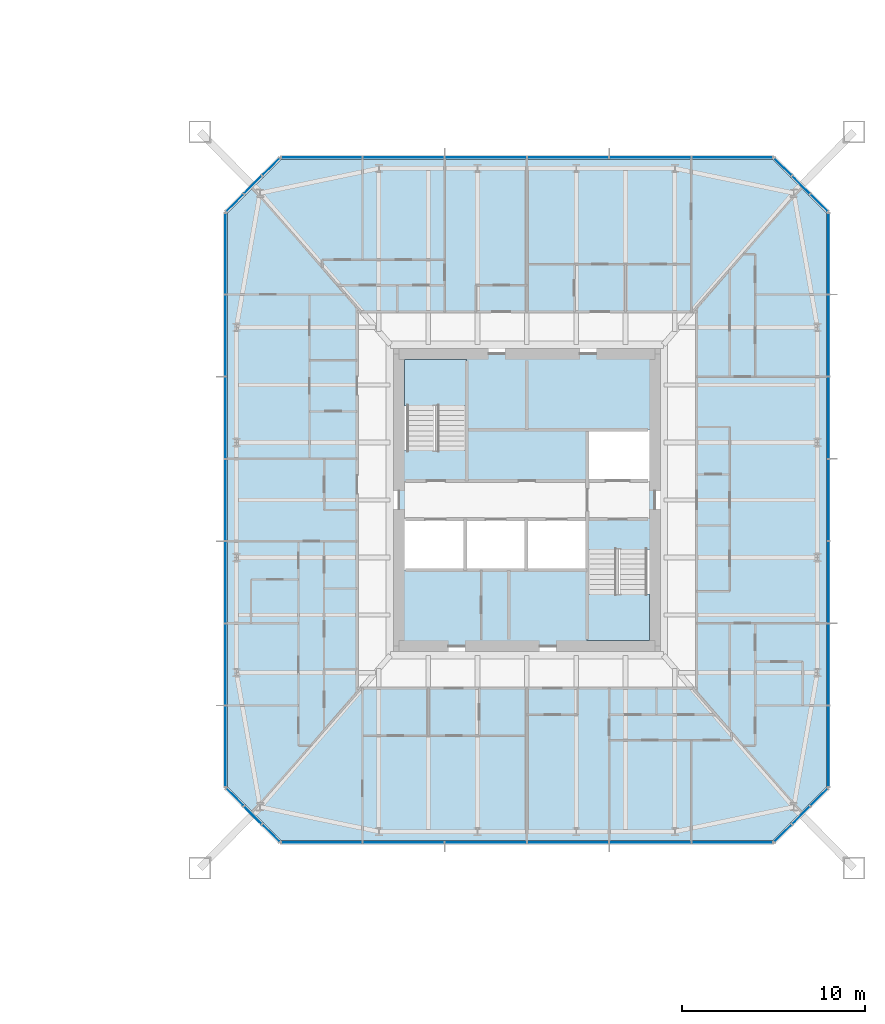
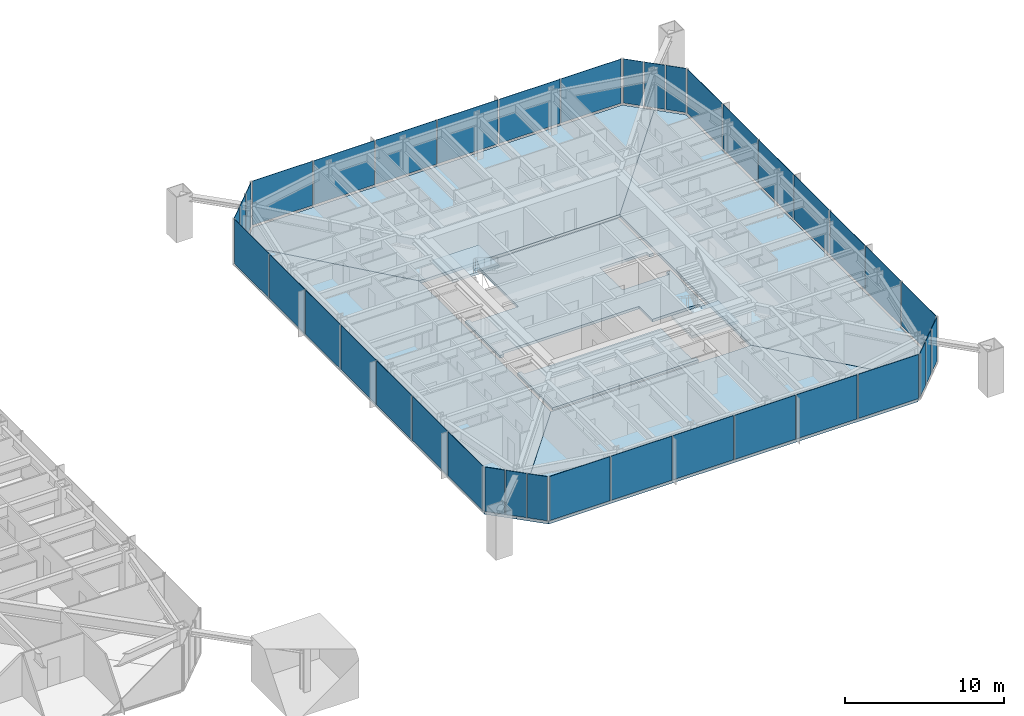
# One storey, part 13 of 26: 38 plates, 8 slabs, 10 elements without a shape of their own.
"""IFC4 building model written with IfcOpenShell, lengths in metres."""

import ifcopenshell
import ifcopenshell.guid

model = None  # the IFC model being written
_history = None  # IfcOwnerHistory: only IFC2X3 demands one
_inside = {}  # id of a spatial element -> (the spatial element, [elements in it])
_under = {}  # id of a project, library or spatial element -> (it, [spatial elements below it])
_declared = {}  # id of a project -> (the project, [libraries it declares])
_typed = {}  # id of a type object -> (the type object, [elements of that type])
_made_of = {}  # id of a material, layer set ... -> (it, [elements and type objects made of it])


def new_model(schema):
    """Start an empty IFC model of exactly this schema.

    Asked for "IFC4X3", IfcOpenShell would pick the latest addendum, in which some entities
    have other attributes; the version numbers below select the first issue.
    IFC2X3 requires an IfcOwnerHistory on every rooted entity: one is made here for all.
    """
    global model, _history
    if schema == "IFC4X3":
        model = ifcopenshell.file(schema_version=(4, 3, 0, 0))
    else:
        model = ifcopenshell.file(schema=schema)
    _inside.clear()
    _under.clear()
    _declared.clear()
    _typed.clear()
    _made_of.clear()
    _history = None
    if model.schema == "IFC2X3":
        org = make("IfcOrganization", Name="unknown")
        user = make(
            "IfcPersonAndOrganization",
            ThePerson=make("IfcPerson", FamilyName="unknown"),
            TheOrganization=org,
        )
        app = make(
            "IfcApplication",
            ApplicationDeveloper=org,
            Version="unknown",
            ApplicationFullName="unknown",
            ApplicationIdentifier="unknown",
        )
        _history = make(
            "IfcOwnerHistory",
            OwningUser=user,
            OwningApplication=app,
            ChangeAction="ADDED",
            CreationDate=0,
        )
    return model


def make(cls, **values):
    """One entity of the class cls with the attributes given. An attribute that is None is left unset."""
    return model.create_entity(
        cls, **{name: value for name, value in values.items() if value is not None}
    )


def rooted(cls, **values):
    """An entity with a GlobalId (a new one), such as an element, a storey or a relation."""
    return make(cls, GlobalId=ifcopenshell.guid.new(), OwnerHistory=_history, **values)


def si_unit(unit_type, name, prefix=None):
    """IfcSIUnit, for example si_unit("LENGTHUNIT", "METRE", prefix="MILLI")."""
    return make("IfcSIUnit", UnitType=unit_type, Prefix=prefix, Name=name)


def assignment(units):
    """IfcUnitAssignment: the units of a project."""
    return None if units is None else make("IfcUnitAssignment", Units=units)


def point(xyz):
    """IfcCartesianPoint."""
    return None if xyz is None else make("IfcCartesianPoint", Coordinates=xyz)


def direction(xyz):
    """IfcDirection."""
    return None if xyz is None else make("IfcDirection", DirectionRatios=xyz)


def frame(location, z_axis=None, x_axis=None):
    """IfcAxis2Placement3D, a coordinate frame: its origin and axes. An axis left out is left unset."""
    return make(
        "IfcAxis2Placement3D",
        Location=point(location),
        Axis=direction(z_axis),
        RefDirection=direction(x_axis),
    )


def frame_2d(location, x_axis=None):
    """IfcAxis2Placement2D, a coordinate frame in the plane: its origin and x axis."""
    return make(
        "IfcAxis2Placement2D", Location=point(location), RefDirection=direction(x_axis)
    )


def origin():
    """The frame at (0, 0, 0) with its axes left unset."""
    return frame((0.0, 0.0, 0.0))


def origin_2d():
    """The frame at (0, 0) in the plane with its x axis left unset."""
    return frame_2d((0.0, 0.0))


def place(relative_to, where):
    """IfcLocalPlacement: puts the frame where relative to a parent placement (None: the world)."""
    return make(
        "IfcLocalPlacement", PlacementRelTo=relative_to, RelativePlacement=where
    )


def context(
    kind, dimensions, precision=None, world=None, true_north=None, identifier=None
):
    """IfcGeometricRepresentationContext, for example the 3D "Model" context."""
    return make(
        "IfcGeometricRepresentationContext",
        ContextIdentifier=identifier,
        ContextType=kind,
        CoordinateSpaceDimension=dimensions,
        Precision=precision,
        WorldCoordinateSystem=world,
        TrueNorth=true_north,
    )


def subcontext(parent, identifier, kind, view, scale=None):
    """IfcGeometricRepresentationSubContext, for example "Body" below "Model"."""
    return make(
        "IfcGeometricRepresentationSubContext",
        ContextIdentifier=identifier,
        ContextType=kind,
        ParentContext=parent,
        TargetScale=scale,
        TargetView=view,
    )


def project(units=None, contexts=None):
    """IfcProject with its units and contexts."""
    return rooted(
        "IfcProject",
        Name="project",
        RepresentationContexts=contexts,
        UnitsInContext=assignment(units),
    )


def spatial(cls, under=None, at=None, **own):
    """A site, building, storey or space (cls), placed at a placement, below another one or the project."""
    s = rooted(cls, ObjectPlacement=at, **own)
    if under is not None:
        _under.setdefault(under.id(), (under, []))[1].append(s)
    return s


def polyline(points):
    """IfcPolyline through the points."""
    return make("IfcPolyline", Points=[point(p) for p in points])


def profile(cls, at=None, kind="AREA", **sizes):
    """A parametric profile (cls). Its sizes go by their IFC names, for example OverallWidth=200.0."""
    return make(cls, ProfileType=kind, Position=at, **sizes)


def rectangle(**sizes):
    """IfcRectangleProfileDef."""
    return profile("IfcRectangleProfileDef", **sizes)


def outline(outer, holes=None, kind="AREA"):
    """IfcArbitraryClosedProfileDef: a profile drawn as a closed curve; with holes, ...WithVoids."""
    if holes is None:
        return make("IfcArbitraryClosedProfileDef", ProfileType=kind, OuterCurve=outer)
    return make(
        "IfcArbitraryProfileDefWithVoids",
        ProfileType=kind,
        OuterCurve=outer,
        InnerCurves=holes,
    )


def extrude(swept, where, along, depth):
    """IfcExtrudedAreaSolid: the profile swept, set in the frame where, extruded along a direction by depth."""
    return make(
        "IfcExtrudedAreaSolid",
        SweptArea=swept,
        Position=where,
        ExtrudedDirection=direction(along),
        Depth=depth,
    )


def shape(context_of_items, identifier, shape_type, items):
    """IfcShapeRepresentation: the items that make up one representation, for example the "Body"."""
    return make(
        "IfcShapeRepresentation",
        ContextOfItems=context_of_items,
        RepresentationIdentifier=identifier,
        RepresentationType=shape_type,
        Items=items,
    )


def material(Name=None, Category=None):
    """IfcMaterial."""
    return make("IfcMaterial", Name=Name, Category=Category)


def layer(
    of_material, thickness, ventilated=None, Name=None, Category=None, Priority=None
):
    """IfcMaterialLayer: one layer of a wall or slab, of a material (None: an air gap)."""
    return make(
        "IfcMaterialLayer",
        Material=of_material,
        LayerThickness=thickness,
        IsVentilated=ventilated,
        Name=Name,
        Category=Category,
        Priority=Priority,
    )


def layer_set(layers, Name=None):
    """IfcMaterialLayerSet."""
    return make("IfcMaterialLayerSet", MaterialLayers=layers, LayerSetName=Name)


def constituent(of_material, Name=None, Category=None, fraction=None):
    """IfcMaterialConstituent: one of the materials an element consists of."""
    return make(
        "IfcMaterialConstituent",
        Name=Name,
        Material=of_material,
        Fraction=fraction,
        Category=Category,
    )


def constituent_set(constituents=None, Name=None):
    """IfcMaterialConstituentSet."""
    return make(
        "IfcMaterialConstituentSet", Name=Name, MaterialConstituents=constituents
    )


def made_of(thing, what):
    """Note that an element or type object is made of a material, layer set ...; save() writes the relation."""
    if what is not None:
        _made_of.setdefault(what.id(), (what, []))[1].append(thing)
    return thing


def type_object(cls, material=None, **own):
    """A type object (cls), such as IfcWallType, which elements share."""
    return made_of(rooted(cls, **own), material)


def element(
    cls,
    number,
    at=None,
    inside=None,
    cuts=None,
    type_object=None,
    material=None,
    context=None,
    identifier="Body",
    shape_type=None,
    held_by="IfcProductDefinitionShape",
    body=None,
    shapes=None,
    **own,
):
    """One element of the class cls, such as IfcWall. Its Tag is "e" and its number.

    at: its placement. inside: the storey or other place that contains it. cuts: it is an
    opening in that element (IfcRelVoidsElement). A single representation is given by context,
    identifier, shape_type and body (its items); several are given by shapes. held_by: the class
    of the entity that holds the representations. save() writes the other relations.
    """
    e = rooted(cls, Tag="e%d" % number, ObjectPlacement=at, **own)
    if body is not None:
        shapes = [shape(context, identifier, shape_type, body)]
    if shapes is not None:
        e.Representation = make(held_by, Representations=shapes)
    if inside is not None:
        _inside.setdefault(inside.id(), (inside, []))[1].append(e)
    if cuts is not None:
        rooted(
            "IfcRelVoidsElement", RelatingBuildingElement=cuts, RelatedOpeningElement=e
        )
    if type_object is not None:
        _typed.setdefault(type_object.id(), (type_object, []))[1].append(e)
    return made_of(e, material)


def aggregate(whole, parts):
    """IfcRelAggregates: a whole, such as a stair, and the parts it consists of."""
    return rooted("IfcRelAggregates", RelatingObject=whole, RelatedObjects=parts)


def save(model, path):
    """Write the relations noted so far, then the file.

    IfcRelAggregates (storeys below a building ...), IfcRelContainedInSpatialStructure (elements
    in a storey), IfcRelDefinesByType, IfcRelAssociatesMaterial and IfcRelDeclares: one each for
    every whole, place, type object, material and project.
    """
    for whole, parts in _under.values():
        aggregate(whole, parts)
    for where, things in _inside.values():
        rooted(
            "IfcRelContainedInSpatialStructure",
            RelatedElements=things,
            RelatingStructure=where,
        )
    for kind, things in _typed.values():
        rooted("IfcRelDefinesByType", RelatedObjects=things, RelatingType=kind)
    for what, things in _made_of.values():
        rooted("IfcRelAssociatesMaterial", RelatedObjects=things, RelatingMaterial=what)
    for by, libraries in _declared.values():
        rooted("IfcRelDeclares", RelatingContext=by, RelatedDefinitions=libraries)
    model.write(path)


model = new_model("IFC4")

# Units and contexts
model_context = context("Model", 3, precision=1e-05, world=origin(), true_north=direction((0.0, 1.0)))
body_context = subcontext(model_context, "Body", "Model", "MODEL_VIEW")
ifc_project = project(units=[si_unit("LENGTHUNIT", "METRE"), si_unit("AREAUNIT", "SQUARE_METRE"), si_unit("VOLUMEUNIT", "CUBIC_METRE"), si_unit("PLANEANGLEUNIT", "RADIAN"), si_unit("MASSUNIT", "GRAM", prefix="KILO")], contexts=[model_context])

# Site, building, storey
site_placement = place(None, origin())
site = spatial("IfcSite", under=ifc_project, at=site_placement, CompositionType="ELEMENT")
building_placement = place(site_placement, origin())
building = spatial("IfcBuilding", under=site, at=building_placement, Name="Iwan Alto Co-Living Towers", CompositionType="ELEMENT")
storey_placement = place(building_placement, frame((0.0, 0.0, 67.5)))
storey = spatial("IfcBuildingStorey", under=building, at=storey_placement, Name="L18", CompositionType="ELEMENT", Elevation=67.5)

# Slabs
ifc_material_1 = material(Name="Concrete f'c 30 MPa", Category="concrete")
ifc_layer_1 = layer(ifc_material_1, 0.199951171875)
ifc_layer_set_1 = layer_set([ifc_layer_1], Name="CORE FLOOR SLAB 200")
slab_type_1 = type_object("IfcSlabType", Name="CORE FLOOR SLAB 200", PredefinedType="FLOOR", material=ifc_layer_set_1)
slab_1_placement = place(storey_placement, frame((0.0, 0.0, -0.199951171875)))
element("IfcSlab", 1, at=slab_1_placement, inside=storey, type_object=slab_type_1, Name="T2 core floor L18", PredefinedType="FLOOR", context=body_context, shape_type="SweptSolid", body=[
    extrude(outline(polyline([(70.0, -3.030029296875), (69.699951171875, -3.030029296875), (69.699951171875, -2.719970703125), (66.300048828125, -2.719970703125), (66.300048828125, -1.050048828125), (62.967041015625, -1.050048828125), (59.633056640625, -1.050048828125), (56.300048828125, -1.050048828125), (56.300048828125, -1.360107421875), (56.0, -1.360107421875), (56.0, 3.030029296875), (56.300048828125, 3.030029296875), (56.300048828125, 2.719970703125), (59.699951171875, 2.719970703125), (59.699951171875, 7.699951171875), (59.389892578125, 7.699951171875), (59.389892578125, 8.0), (70.0, 8.0), (70.0, 3.5400390625), (69.699951171875, 3.5400390625), (69.699951171875, 3.85009765625), (66.300048828125, 3.85009765625), (66.300048828125, 1.050048828125), (69.699951171875, 1.050048828125), (69.699951171875, 1.360107421875), (70.0, 1.360107421875), (70.0, -3.030029296875)])), origin(), (0.0, 0.0, 1.0), 0.199951171875),
])
slab_2_placement = place(storey_placement, frame((0.0, 0.0, -0.199951171875)))
element("IfcSlab", 2, at=slab_2_placement, inside=storey, type_object=slab_type_1, Name="T2 core floor L18", PredefinedType="FLOOR", context=body_context, shape_type="SweptSolid", body=[
    extrude(outline(polyline([(62.967041015625, -3.85009765625), (66.300048828125, -3.85009765625), (66.300048828125, -7.699951171875), (66.610107421875, -7.699951171875), (66.610107421875, -8.0), (56.0, -8.0), (56.0, -3.5400390625), (56.300048828125, -3.5400390625), (56.300048828125, -3.85009765625), (59.633056640625, -3.85009765625), (62.967041015625, -3.85009765625)])), origin(), (0.0, 0.0, 1.0), 0.199951171875),
])

# Curtain wall, plates
ifc_material_2 = material(Name="Bronze aluminium unitised frame", Category="aluminium")
curtain_wall_type_1 = type_object("IfcCurtainWallType", Name="CURTAIN WALL CW-C", PredefinedType="NOTDEFINED", material=ifc_material_2)
curtain_wall_1_placement = place(storey_placement, origin())
curtain_wall_1 = element("IfcCurtainWall", 3, at=curtain_wall_1_placement, inside=storey, type_object=curtain_wall_type_1, Name="T2 curtain wall S L18", PredefinedType="NOTDEFINED")
ifc_material_3 = material(Name="Bronze-tinted insulating glass", Category="glass")
ifc_layer_2 = layer(ifc_material_3, 0.031982421875)
ifc_layer_set_2 = layer_set([ifc_layer_2], Name="CW-C PANEL TINTED IGU 32")
plate_type_1 = type_object("IfcPlateType", Name="CW-C PANEL TINTED IGU 32", PredefinedType="CURTAIN_PANEL", material=ifc_layer_set_2)
plate_1_placement = place(storey_placement, frame((56.25, -18.75, 0.10009765625), z_axis=(0.0, 0.0, 1.0), x_axis=(1.0, 0.0, 0.0)))
plate_1 = element("IfcPlate", 4, at=plate_1_placement, type_object=plate_type_1, Name="CW-C panel 2.1", PredefinedType="CURTAIN_PANEL", context=body_context, shape_type="SweptSolid", body=[
    extrude(rectangle(XDim=4.419921875, YDim=0.031982421875, at=origin_2d()), origin(), (0.0, 0.0, 1.0), 3.39990234375),
])
plate_2_placement = place(storey_placement, frame((60.75, -18.75, 0.10009765625), z_axis=(0.0, 0.0, 1.0), x_axis=(1.0, 0.0, 0.0)))
plate_2 = element("IfcPlate", 5, at=plate_2_placement, type_object=plate_type_1, Name="CW-C panel 3.1", PredefinedType="CURTAIN_PANEL", context=body_context, shape_type="SweptSolid", body=[
    extrude(rectangle(XDim=4.419921875, YDim=0.031982421875, at=origin_2d()), origin(), (0.0, 0.0, 1.0), 3.39990234375),
])
plate_3_placement = place(storey_placement, frame((65.25, -18.75, 0.10009765625), z_axis=(0.0, 0.0, 1.0), x_axis=(1.0, 0.0, 0.0)))
plate_3 = element("IfcPlate", 6, at=plate_3_placement, type_object=plate_type_1, Name="CW-C panel 4.1", PredefinedType="CURTAIN_PANEL", context=body_context, shape_type="SweptSolid", body=[
    extrude(rectangle(XDim=4.419921875, YDim=0.031982421875, at=origin_2d()), origin(), (0.0, 0.0, 1.0), 3.39990234375),
])
plate_4_placement = place(storey_placement, frame((69.75, -18.75, 0.10009765625), z_axis=(0.0, 0.0, 1.0), x_axis=(1.0, 0.0, 0.0)))
plate_4 = element("IfcPlate", 7, at=plate_4_placement, type_object=plate_type_1, Name="CW-C panel 5.1", PredefinedType="CURTAIN_PANEL", context=body_context, shape_type="SweptSolid", body=[
    extrude(rectangle(XDim=4.419921875, YDim=0.031982421875, at=origin_2d()), origin(), (0.0, 0.0, 1.0), 3.39990234375),
])

curtain_wall_2_placement = place(storey_placement, origin())
curtain_wall_2 = element("IfcCurtainWall", 8, at=curtain_wall_2_placement, inside=storey, type_object=curtain_wall_type_1, Name="T2 curtain wall E L18", PredefinedType="NOTDEFINED")
plate_5_placement = place(storey_placement, frame((79.5, -9.0, 0.10009765625), z_axis=(0.0, 0.0, 1.0), x_axis=(0.0, 1.0, 0.0)))
plate_5 = element("IfcPlate", 9, at=plate_5_placement, type_object=plate_type_1, Name="CW-C panel 2.1", PredefinedType="CURTAIN_PANEL", context=body_context, shape_type="SweptSolid", body=[
    extrude(rectangle(XDim=4.419921875, YDim=0.031982421875, at=origin_2d()), origin(), (0.0, 0.0, 1.0), 3.39990234375),
])
plate_6_placement = place(storey_placement, frame((79.5, -4.5, 0.10009765625), z_axis=(0.0, 0.0, 1.0), x_axis=(0.0, 1.0, 0.0)))
plate_6 = element("IfcPlate", 10, at=plate_6_placement, type_object=plate_type_1, Name="CW-C panel 3.1", PredefinedType="CURTAIN_PANEL", context=body_context, shape_type="SweptSolid", body=[
    extrude(rectangle(XDim=4.419921875, YDim=0.031982421875, at=origin_2d()), origin(), (0.0, 0.0, 1.0), 3.39990234375),
])
plate_7_placement = place(storey_placement, frame((79.5, 0.0, 0.10009765625), z_axis=(0.0, 0.0, 1.0), x_axis=(0.0, 1.0, 0.0)))
plate_7 = element("IfcPlate", 11, at=plate_7_placement, type_object=plate_type_1, Name="CW-C panel 4.1", PredefinedType="CURTAIN_PANEL", context=body_context, shape_type="SweptSolid", body=[
    extrude(rectangle(XDim=4.419921875, YDim=0.031982421875, at=origin_2d()), origin(), (0.0, 0.0, 1.0), 3.39990234375),
])
plate_8_placement = place(storey_placement, frame((79.5, 4.5, 0.10009765625), z_axis=(0.0, 0.0, 1.0), x_axis=(0.0, 1.0, 0.0)))
plate_8 = element("IfcPlate", 12, at=plate_8_placement, type_object=plate_type_1, Name="CW-C panel 5.1", PredefinedType="CURTAIN_PANEL", context=body_context, shape_type="SweptSolid", body=[
    extrude(rectangle(XDim=4.419921875, YDim=0.031982421875, at=origin_2d()), origin(), (0.0, 0.0, 1.0), 3.39990234375),
])
plate_9_placement = place(storey_placement, frame((79.5, 9.0, 0.10009765625), z_axis=(0.0, 0.0, 1.0), x_axis=(0.0, 1.0, 0.0)))
plate_9 = element("IfcPlate", 13, at=plate_9_placement, type_object=plate_type_1, Name="CW-C panel 6.1", PredefinedType="CURTAIN_PANEL", context=body_context, shape_type="SweptSolid", body=[
    extrude(rectangle(XDim=4.419921875, YDim=0.031982421875, at=origin_2d()), origin(), (0.0, 0.0, 1.0), 3.39990234375),
])

curtain_wall_3_placement = place(storey_placement, origin())
curtain_wall_3 = element("IfcCurtainWall", 14, at=curtain_wall_3_placement, inside=storey, type_object=curtain_wall_type_1, Name="T2 curtain wall N L18", PredefinedType="NOTDEFINED")
plate_10_placement = place(storey_placement, frame((69.75, 18.75, 0.10009765625), z_axis=(0.0, 0.0, 1.0), x_axis=(-1.0, 0.0, 0.0)))
plate_10 = element("IfcPlate", 15, at=plate_10_placement, type_object=plate_type_1, Name="CW-C panel 2.1", PredefinedType="CURTAIN_PANEL", context=body_context, shape_type="SweptSolid", body=[
    extrude(rectangle(XDim=4.419921875, YDim=0.031982421875, at=origin_2d()), origin(), (0.0, 0.0, 1.0), 3.39990234375),
])
plate_11_placement = place(storey_placement, frame((65.25, 18.75, 0.10009765625), z_axis=(0.0, 0.0, 1.0), x_axis=(-1.0, 0.0, 0.0)))
plate_11 = element("IfcPlate", 16, at=plate_11_placement, type_object=plate_type_1, Name="CW-C panel 3.1", PredefinedType="CURTAIN_PANEL", context=body_context, shape_type="SweptSolid", body=[
    extrude(rectangle(XDim=4.419921875, YDim=0.031982421875, at=origin_2d()), origin(), (0.0, 0.0, 1.0), 3.39990234375),
])
plate_12_placement = place(storey_placement, frame((60.75, 18.75, 0.10009765625), z_axis=(0.0, 0.0, 1.0), x_axis=(-1.0, 0.0, 0.0)))
plate_12 = element("IfcPlate", 17, at=plate_12_placement, type_object=plate_type_1, Name="CW-C panel 4.1", PredefinedType="CURTAIN_PANEL", context=body_context, shape_type="SweptSolid", body=[
    extrude(rectangle(XDim=4.419921875, YDim=0.031982421875, at=origin_2d()), origin(), (0.0, 0.0, 1.0), 3.39990234375),
])
plate_13_placement = place(storey_placement, frame((56.25, 18.75, 0.10009765625), z_axis=(0.0, 0.0, 1.0), x_axis=(-1.0, 0.0, 0.0)))
plate_13 = element("IfcPlate", 18, at=plate_13_placement, type_object=plate_type_1, Name="CW-C panel 5.1", PredefinedType="CURTAIN_PANEL", context=body_context, shape_type="SweptSolid", body=[
    extrude(rectangle(XDim=4.419921875, YDim=0.031982421875, at=origin_2d()), origin(), (0.0, 0.0, 1.0), 3.39990234375),
])

curtain_wall_4_placement = place(storey_placement, origin())
curtain_wall_4 = element("IfcCurtainWall", 19, at=curtain_wall_4_placement, inside=storey, type_object=curtain_wall_type_1, Name="T2 curtain wall W L18", PredefinedType="NOTDEFINED")
plate_14_placement = place(storey_placement, frame((46.5, 9.0, 0.10009765625), z_axis=(0.0, 0.0, 1.0), x_axis=(0.0, -1.0, 0.0)))
plate_14 = element("IfcPlate", 20, at=plate_14_placement, type_object=plate_type_1, Name="CW-C panel 2.1", PredefinedType="CURTAIN_PANEL", context=body_context, shape_type="SweptSolid", body=[
    extrude(rectangle(XDim=4.419921875, YDim=0.031982421875, at=origin_2d()), origin(), (0.0, 0.0, 1.0), 3.39990234375),
])
plate_15_placement = place(storey_placement, frame((46.5, 4.5, 0.10009765625), z_axis=(0.0, 0.0, 1.0), x_axis=(0.0, -1.0, 0.0)))
plate_15 = element("IfcPlate", 21, at=plate_15_placement, type_object=plate_type_1, Name="CW-C panel 3.1", PredefinedType="CURTAIN_PANEL", context=body_context, shape_type="SweptSolid", body=[
    extrude(rectangle(XDim=4.419921875, YDim=0.031982421875, at=origin_2d()), origin(), (0.0, 0.0, 1.0), 3.39990234375),
])
plate_16_placement = place(storey_placement, frame((46.5, 0.0, 0.10009765625), z_axis=(0.0, 0.0, 1.0), x_axis=(0.0, -1.0, 0.0)))
plate_16 = element("IfcPlate", 22, at=plate_16_placement, type_object=plate_type_1, Name="CW-C panel 4.1", PredefinedType="CURTAIN_PANEL", context=body_context, shape_type="SweptSolid", body=[
    extrude(rectangle(XDim=4.419921875, YDim=0.031982421875, at=origin_2d()), origin(), (0.0, 0.0, 1.0), 3.39990234375),
])
plate_17_placement = place(storey_placement, frame((46.5, -4.5, 0.10009765625), z_axis=(0.0, 0.0, 1.0), x_axis=(0.0, -1.0, 0.0)))
plate_17 = element("IfcPlate", 23, at=plate_17_placement, type_object=plate_type_1, Name="CW-C panel 5.1", PredefinedType="CURTAIN_PANEL", context=body_context, shape_type="SweptSolid", body=[
    extrude(rectangle(XDim=4.419921875, YDim=0.031982421875, at=origin_2d()), origin(), (0.0, 0.0, 1.0), 3.39990234375),
])
plate_18_placement = place(storey_placement, frame((46.5, -9.0, 0.10009765625), z_axis=(0.0, 0.0, 1.0), x_axis=(0.0, -1.0, 0.0)))
plate_18 = element("IfcPlate", 24, at=plate_18_placement, type_object=plate_type_1, Name="CW-C panel 6.1", PredefinedType="CURTAIN_PANEL", context=body_context, shape_type="SweptSolid", body=[
    extrude(rectangle(XDim=4.419921875, YDim=0.031982421875, at=origin_2d()), origin(), (0.0, 0.0, 1.0), 3.39990234375),
])

# Plate
ifc_material_4 = material(Name="Insulated bronze aluminium spandrel panel", Category="aluminium")
ifc_layer_3 = layer(ifc_material_4, 0.031982421875)
ifc_layer_set_3 = layer_set([ifc_layer_3], Name="CW-C SPANDREL PANEL 32")
plate_type_2 = type_object("IfcPlateType", Name="CW-C SPANDREL PANEL 32", PredefinedType="CURTAIN_PANEL", material=ifc_layer_set_3)
plate_19_placement = place(storey_placement, frame((51.77001953125, -18.75, 0.10009765625), z_axis=(0.0, 0.0, 1.0), x_axis=(1.0, 0.0, 0.0)))
plate_19 = element("IfcPlate", 25, at=plate_19_placement, type_object=plate_type_2, Name="CW-C spandrel panel 1.1 (braced bay)", PredefinedType="CURTAIN_PANEL", context=body_context, shape_type="SweptSolid", body=[
    extrude(rectangle(XDim=4.3798828125, YDim=0.031982421875, at=origin_2d()), origin(), (0.0, 0.0, 1.0), 3.39990234375),
])

plate_20_placement = place(storey_placement, frame((74.22998046875, -18.75, 0.10009765625), z_axis=(0.0, 0.0, 1.0), x_axis=(1.0, 0.0, 0.0)))
plate_20 = element("IfcPlate", 26, at=plate_20_placement, type_object=plate_type_2, Name="CW-C spandrel panel 6.1 (braced bay)", PredefinedType="CURTAIN_PANEL", context=body_context, shape_type="SweptSolid", body=[
    extrude(rectangle(XDim=4.3798828125, YDim=0.031982421875, at=origin_2d()), origin(), (0.0, 0.0, 1.0), 3.39990234375),
])

aggregate(curtain_wall_1, [plate_1, plate_2, plate_3, plate_4, plate_19, plate_20])

plate_21_placement = place(storey_placement, frame((79.5, -13.47998046875, 0.10009765625), z_axis=(0.0, 0.0, 1.0), x_axis=(0.0, 1.0, 0.0)))
plate_21 = element("IfcPlate", 27, at=plate_21_placement, type_object=plate_type_2, Name="CW-C spandrel panel 1.1 (braced bay)", PredefinedType="CURTAIN_PANEL", context=body_context, shape_type="SweptSolid", body=[
    extrude(rectangle(XDim=4.3798828125, YDim=0.031982421875, at=origin_2d()), origin(), (0.0, 0.0, 1.0), 3.39990234375),
])

plate_22_placement = place(storey_placement, frame((79.5, 13.47998046875, 0.10009765625), z_axis=(0.0, 0.0, 1.0), x_axis=(0.0, 1.0, 0.0)))
plate_22 = element("IfcPlate", 28, at=plate_22_placement, type_object=plate_type_2, Name="CW-C spandrel panel 7.1 (braced bay)", PredefinedType="CURTAIN_PANEL", context=body_context, shape_type="SweptSolid", body=[
    extrude(rectangle(XDim=4.3798828125, YDim=0.031982421875, at=origin_2d()), origin(), (0.0, 0.0, 1.0), 3.39990234375),
])

aggregate(curtain_wall_2, [plate_5, plate_6, plate_7, plate_8, plate_9, plate_21, plate_22])

plate_23_placement = place(storey_placement, frame((74.22998046875, 18.75, 0.10009765625), z_axis=(0.0, 0.0, 1.0), x_axis=(-1.0, 0.0, 0.0)))
plate_23 = element("IfcPlate", 29, at=plate_23_placement, type_object=plate_type_2, Name="CW-C spandrel panel 1.1 (braced bay)", PredefinedType="CURTAIN_PANEL", context=body_context, shape_type="SweptSolid", body=[
    extrude(rectangle(XDim=4.3798828125, YDim=0.031982421875, at=origin_2d()), origin(), (0.0, 0.0, 1.0), 3.39990234375),
])

plate_24_placement = place(storey_placement, frame((51.77001953125, 18.75, 0.10009765625), z_axis=(0.0, 0.0, 1.0), x_axis=(-1.0, 0.0, 0.0)))
plate_24 = element("IfcPlate", 30, at=plate_24_placement, type_object=plate_type_2, Name="CW-C spandrel panel 6.1 (braced bay)", PredefinedType="CURTAIN_PANEL", context=body_context, shape_type="SweptSolid", body=[
    extrude(rectangle(XDim=4.3798828125, YDim=0.031982421875, at=origin_2d()), origin(), (0.0, 0.0, 1.0), 3.39990234375),
])

aggregate(curtain_wall_3, [plate_10, plate_11, plate_12, plate_13, plate_23, plate_24])

plate_25_placement = place(storey_placement, frame((46.5, 13.47998046875, 0.10009765625), z_axis=(0.0, 0.0, 1.0), x_axis=(0.0, -1.0, 0.0)))
plate_25 = element("IfcPlate", 31, at=plate_25_placement, type_object=plate_type_2, Name="CW-C spandrel panel 1.1 (braced bay)", PredefinedType="CURTAIN_PANEL", context=body_context, shape_type="SweptSolid", body=[
    extrude(rectangle(XDim=4.3798828125, YDim=0.031982421875, at=origin_2d()), origin(), (0.0, 0.0, 1.0), 3.39990234375),
])

plate_26_placement = place(storey_placement, frame((46.5, -13.47998046875, 0.10009765625), z_axis=(0.0, 0.0, 1.0), x_axis=(0.0, -1.0, 0.0)))
plate_26 = element("IfcPlate", 32, at=plate_26_placement, type_object=plate_type_2, Name="CW-C spandrel panel 7.1 (braced bay)", PredefinedType="CURTAIN_PANEL", context=body_context, shape_type="SweptSolid", body=[
    extrude(rectangle(XDim=4.3798828125, YDim=0.031982421875, at=origin_2d()), origin(), (0.0, 0.0, 1.0), 3.39990234375),
])

aggregate(curtain_wall_4, [plate_14, plate_15, plate_16, plate_17, plate_18, plate_25, plate_26])

# Curtain wall, plates
ifc_material_5 = material(Name="Bronze aluminium unitised frame", Category="aluminium")
curtain_wall_type_2 = type_object("IfcCurtainWallType", Name="CURTAIN WALL CW-D", PredefinedType="NOTDEFINED", material=ifc_material_5)
curtain_wall_5_placement = place(storey_placement, origin())
curtain_wall_5 = element("IfcCurtainWall", 33, at=curtain_wall_5_placement, inside=storey, type_object=curtain_wall_type_2, Name="T2 chamfer curtain wall SE L18", PredefinedType="NOTDEFINED")
ifc_material_6 = material(Name="Bronze-tinted insulating glass", Category="glass")
ifc_layer_4 = layer(ifc_material_6, 0.031982421875)
ifc_layer_set_4 = layer_set([ifc_layer_4], Name="CW-D PANEL TINTED IGU 32")
plate_type_3 = type_object("IfcPlateType", Name="CW-D PANEL TINTED IGU 32", PredefinedType="CURTAIN_PANEL", material=ifc_layer_set_4)
plate_27_placement = place(storey_placement, frame((77.01416015625, -18.23583984375, 0.10009765625), z_axis=(0.0, 0.0, 1.0), x_axis=(0.707106781187, 0.707106781187, 0.0)))
plate_27 = element("IfcPlate", 34, at=plate_27_placement, type_object=plate_type_3, Name="CW-D panel 1.1", PredefinedType="CURTAIN_PANEL", context=body_context, shape_type="SweptSolid", body=[
    extrude(rectangle(XDim=1.294189453125, YDim=0.031982421875, at=origin_2d()), origin(), (0.0, 0.0, 1.0), 3.39990234375),
])
plate_28_placement = place(storey_placement, frame((78.0, -17.25, 0.10009765625), z_axis=(0.0, 0.0, 1.0), x_axis=(0.707106781187, 0.707106781187, 0.0)))
plate_28 = element("IfcPlate", 35, at=plate_28_placement, type_object=plate_type_3, Name="CW-D panel 2.1", PredefinedType="CURTAIN_PANEL", context=body_context, shape_type="SweptSolid", body=[
    extrude(rectangle(XDim=1.334228515625, YDim=0.031982421875, at=origin_2d()), origin(), (0.0, 0.0, 1.0), 3.39990234375),
])
plate_29_placement = place(storey_placement, frame((78.98583984375, -16.26416015625, 0.10009765625), z_axis=(0.0, 0.0, 1.0), x_axis=(0.707106781187, 0.707106781187, 0.0)))
plate_29 = element("IfcPlate", 36, at=plate_29_placement, type_object=plate_type_3, Name="CW-D panel 3.1", PredefinedType="CURTAIN_PANEL", context=body_context, shape_type="SweptSolid", body=[
    extrude(rectangle(XDim=1.294189453125, YDim=0.031982421875, at=origin_2d()), origin(), (0.0, 0.0, 1.0), 3.39990234375),
])
aggregate(curtain_wall_5, [plate_27, plate_28, plate_29])

curtain_wall_6_placement = place(storey_placement, origin())
curtain_wall_6 = element("IfcCurtainWall", 37, at=curtain_wall_6_placement, inside=storey, type_object=curtain_wall_type_2, Name="T2 chamfer curtain wall NE L18", PredefinedType="NOTDEFINED")
plate_30_placement = place(storey_placement, frame((78.98583984375, 16.26416015625, 0.10009765625), z_axis=(0.0, 0.0, 1.0), x_axis=(-0.707106781187, 0.707106781187, 0.0)))
plate_30 = element("IfcPlate", 38, at=plate_30_placement, type_object=plate_type_3, Name="CW-D panel 1.1", PredefinedType="CURTAIN_PANEL", context=body_context, shape_type="SweptSolid", body=[
    extrude(rectangle(XDim=1.294189453125, YDim=0.031982421875, at=origin_2d()), origin(), (0.0, 0.0, 1.0), 3.39990234375),
])
plate_31_placement = place(storey_placement, frame((78.0, 17.25, 0.10009765625), z_axis=(0.0, 0.0, 1.0), x_axis=(-0.707106781187, 0.707106781187, 0.0)))
plate_31 = element("IfcPlate", 39, at=plate_31_placement, type_object=plate_type_3, Name="CW-D panel 2.1", PredefinedType="CURTAIN_PANEL", context=body_context, shape_type="SweptSolid", body=[
    extrude(rectangle(XDim=1.334228515625, YDim=0.031982421875, at=origin_2d()), origin(), (0.0, 0.0, 1.0), 3.39990234375),
])
plate_32_placement = place(storey_placement, frame((77.01416015625, 18.23583984375, 0.10009765625), z_axis=(0.0, 0.0, 1.0), x_axis=(-0.707106781187, 0.707106781187, 0.0)))
plate_32 = element("IfcPlate", 40, at=plate_32_placement, type_object=plate_type_3, Name="CW-D panel 3.1", PredefinedType="CURTAIN_PANEL", context=body_context, shape_type="SweptSolid", body=[
    extrude(rectangle(XDim=1.294189453125, YDim=0.031982421875, at=origin_2d()), origin(), (0.0, 0.0, 1.0), 3.39990234375),
])
aggregate(curtain_wall_6, [plate_30, plate_31, plate_32])

curtain_wall_7_placement = place(storey_placement, origin())
curtain_wall_7 = element("IfcCurtainWall", 41, at=curtain_wall_7_placement, inside=storey, type_object=curtain_wall_type_2, Name="T2 chamfer curtain wall NW L18", PredefinedType="NOTDEFINED")
plate_33_placement = place(storey_placement, frame((48.98583984375, 18.23583984375, 0.10009765625), z_axis=(0.0, 0.0, 1.0), x_axis=(-0.707106781187, -0.707106781187, 0.0)))
plate_33 = element("IfcPlate", 42, at=plate_33_placement, type_object=plate_type_3, Name="CW-D panel 1.1", PredefinedType="CURTAIN_PANEL", context=body_context, shape_type="SweptSolid", body=[
    extrude(rectangle(XDim=1.294189453125, YDim=0.031982421875, at=origin_2d()), origin(), (0.0, 0.0, 1.0), 3.39990234375),
])
plate_34_placement = place(storey_placement, frame((48.0, 17.25, 0.10009765625), z_axis=(0.0, 0.0, 1.0), x_axis=(-0.707106781187, -0.707106781187, 0.0)))
plate_34 = element("IfcPlate", 43, at=plate_34_placement, type_object=plate_type_3, Name="CW-D panel 2.1", PredefinedType="CURTAIN_PANEL", context=body_context, shape_type="SweptSolid", body=[
    extrude(rectangle(XDim=1.334228515625, YDim=0.031982421875, at=origin_2d()), origin(), (0.0, 0.0, 1.0), 3.39990234375),
])
plate_35_placement = place(storey_placement, frame((47.01416015625, 16.26416015625, 0.10009765625), z_axis=(0.0, 0.0, 1.0), x_axis=(-0.707106781187, -0.707106781187, 0.0)))
plate_35 = element("IfcPlate", 44, at=plate_35_placement, type_object=plate_type_3, Name="CW-D panel 3.1", PredefinedType="CURTAIN_PANEL", context=body_context, shape_type="SweptSolid", body=[
    extrude(rectangle(XDim=1.294189453125, YDim=0.031982421875, at=origin_2d()), origin(), (0.0, 0.0, 1.0), 3.39990234375),
])
aggregate(curtain_wall_7, [plate_33, plate_34, plate_35])

curtain_wall_8_placement = place(storey_placement, origin())
curtain_wall_8 = element("IfcCurtainWall", 45, at=curtain_wall_8_placement, inside=storey, type_object=curtain_wall_type_2, Name="T2 chamfer curtain wall SW L18", PredefinedType="NOTDEFINED")
plate_36_placement = place(storey_placement, frame((47.01416015625, -16.26416015625, 0.10009765625), z_axis=(0.0, 0.0, 1.0), x_axis=(0.707106781187, -0.707106781187, 0.0)))
plate_36 = element("IfcPlate", 46, at=plate_36_placement, type_object=plate_type_3, Name="CW-D panel 1.1", PredefinedType="CURTAIN_PANEL", context=body_context, shape_type="SweptSolid", body=[
    extrude(rectangle(XDim=1.294189453125, YDim=0.031982421875, at=origin_2d()), origin(), (0.0, 0.0, 1.0), 3.39990234375),
])
plate_37_placement = place(storey_placement, frame((48.0, -17.25, 0.10009765625), z_axis=(0.0, 0.0, 1.0), x_axis=(0.707106781187, -0.707106781187, 0.0)))
plate_37 = element("IfcPlate", 47, at=plate_37_placement, type_object=plate_type_3, Name="CW-D panel 2.1", PredefinedType="CURTAIN_PANEL", context=body_context, shape_type="SweptSolid", body=[
    extrude(rectangle(XDim=1.334228515625, YDim=0.031982421875, at=origin_2d()), origin(), (0.0, 0.0, 1.0), 3.39990234375),
])
plate_38_placement = place(storey_placement, frame((48.98583984375, -18.23583984375, 0.10009765625), z_axis=(0.0, 0.0, 1.0), x_axis=(0.707106781187, -0.707106781187, 0.0)))
plate_38 = element("IfcPlate", 48, at=plate_38_placement, type_object=plate_type_3, Name="CW-D panel 3.1", PredefinedType="CURTAIN_PANEL", context=body_context, shape_type="SweptSolid", body=[
    extrude(rectangle(XDim=1.294189453125, YDim=0.031982421875, at=origin_2d()), origin(), (0.0, 0.0, 1.0), 3.39990234375),
])
aggregate(curtain_wall_8, [plate_36, plate_37, plate_38])

# Stair, slab
ifc_material_7 = material(Name="Steel ASTM A36", Category="steel")
ifc_constituent_1 = constituent(ifc_material_7, Name="Stringers", Category="LoadBearing")
ifc_material_8 = material(Name="Concrete f'c 30 MPa", Category="concrete")
ifc_constituent_2 = constituent(ifc_material_8, Name="Tread fill", Category="Finish")
ifc_constituent_set = constituent_set(constituents=[ifc_constituent_1, ifc_constituent_2], Name="STAIR 3500 TWO-FLIGHT T2 CORE")
stair_type = type_object("IfcStairType", Name="STAIR 3500 TWO-FLIGHT T2 CORE", PredefinedType="HALF_TURN_STAIR", material=ifc_constituent_set)
stair_1_placement = place(storey_placement, origin())
stair_1 = element("IfcStair", 49, at=stair_1_placement, inside=storey, type_object=stair_type, Name="Stair T2-S1 L18 to L19", PredefinedType="HALF_TURN_STAIR")
ifc_material_9 = material(Name="Concrete f'c 30 MPa", Category="concrete")
ifc_layer_5 = layer(ifc_material_9, 0.199951171875)
ifc_layer_set_5 = layer_set([ifc_layer_5], Name="STAIR LANDING 200")
slab_type_2 = type_object("IfcSlabType", Name="STAIR LANDING 200", PredefinedType="LANDING", material=ifc_layer_set_5)
slab_3_placement = place(storey_placement, frame((0.0, 0.0, 1.550048828125)))
slab_3 = element("IfcSlab", 50, at=slab_3_placement, type_object=slab_type_2, Name="T2-S1 landing 1", PredefinedType="LANDING", context=body_context, shape_type="SweptSolid", body=[
    extrude(outline(polyline([(56.300048828125, 5.139892578125), (56.300048828125, 7.699951171875), (59.699951171875, 7.699951171875), (59.699951171875, 5.139892578125), (56.300048828125, 5.139892578125)])), origin(), (0.0, 0.0, 1.0), 0.199951171875),
])
aggregate(stair_1, [slab_3])

stair_2_placement = place(storey_placement, origin())
stair_2 = element("IfcStair", 51, at=stair_2_placement, inside=storey, type_object=stair_type, Name="Stair T2-S2 L18 to L19", PredefinedType="HALF_TURN_STAIR")
slab_4_placement = place(storey_placement, frame((0.0, 0.0, 1.550048828125)))
slab_4 = element("IfcSlab", 52, at=slab_4_placement, type_object=slab_type_2, Name="T2-S2 landing 1", PredefinedType="LANDING", context=body_context, shape_type="SweptSolid", body=[
    extrude(outline(polyline([(66.300048828125, -5.139892578125), (66.300048828125, -7.699951171875), (69.699951171875, -7.699951171875), (69.699951171875, -5.139892578125), (66.300048828125, -5.139892578125)])), origin(), (0.0, 0.0, 1.0), 0.199951171875),
])
aggregate(stair_2, [slab_4])

# Slabs
ifc_material_10 = material(Name="Concrete f'c 30 MPa", Category="concrete")
ifc_layer_6 = layer(ifc_material_10, 0.22998046875)
ifc_layer_set_6 = layer_set([ifc_layer_6], Name="T2 FLOOR SLAB 230")
slab_type_3 = type_object("IfcSlabType", Name="T2 FLOOR SLAB 230", PredefinedType="FLOOR", material=ifc_layer_set_6)
slab_5_placement = place(storey_placement, frame((0.0, 0.0, -0.22998046875)))
element("IfcSlab", 53, at=slab_5_placement, inside=storey, type_object=slab_type_3, Name="T2 floor slab L18 S pour", PredefinedType="FLOOR", context=body_context, shape_type="SweptSolid", body=[
    extrude(outline(polyline([(76.44140625, -18.64990234375), (49.55859375, -18.64990234375), (48.07568359375, -17.1669921875), (55.699951171875, -8.300048828125), (70.300048828125, -8.300048828125), (77.92431640625, -17.1669921875), (76.44140625, -18.64990234375)])), origin(), (0.0, 0.0, 1.0), 0.22998046875),
])
slab_6_placement = place(storey_placement, frame((0.0, 0.0, -0.22998046875)))
element("IfcSlab", 54, at=slab_6_placement, inside=storey, type_object=slab_type_3, Name="T2 floor slab L18 E pour", PredefinedType="FLOOR", context=body_context, shape_type="SweptSolid", body=[
    extrude(outline(polyline([(79.39990234375, 15.69140625), (79.39990234375, -15.69140625), (77.92431640625, -17.1669921875), (70.300048828125, -8.300048828125), (70.300048828125, 8.300048828125), (77.92431640625, 17.1669921875), (79.39990234375, 15.69140625)])), origin(), (0.0, 0.0, 1.0), 0.22998046875),
])
slab_7_placement = place(storey_placement, frame((0.0, 0.0, -0.22998046875)))
element("IfcSlab", 55, at=slab_7_placement, inside=storey, type_object=slab_type_3, Name="T2 floor slab L18 N pour", PredefinedType="FLOOR", context=body_context, shape_type="SweptSolid", body=[
    extrude(outline(polyline([(49.55859375, 18.64990234375), (76.44140625, 18.64990234375), (77.92431640625, 17.1669921875), (70.300048828125, 8.300048828125), (55.699951171875, 8.300048828125), (48.07568359375, 17.1669921875), (49.55859375, 18.64990234375)])), origin(), (0.0, 0.0, 1.0), 0.22998046875),
])
slab_8_placement = place(storey_placement, frame((0.0, 0.0, -0.22998046875)))
element("IfcSlab", 56, at=slab_8_placement, inside=storey, type_object=slab_type_3, Name="T2 floor slab L18 W pour", PredefinedType="FLOOR", context=body_context, shape_type="SweptSolid", body=[
    extrude(outline(polyline([(46.60009765625, 15.69140625), (48.07568359375, 17.1669921875), (55.699951171875, 8.300048828125), (55.699951171875, -8.300048828125), (48.07568359375, -17.1669921875), (46.60009765625, -15.69140625), (46.60009765625, 15.69140625)])), origin(), (0.0, 0.0, 1.0), 0.22998046875),
])

save(model, "model.ifc")
